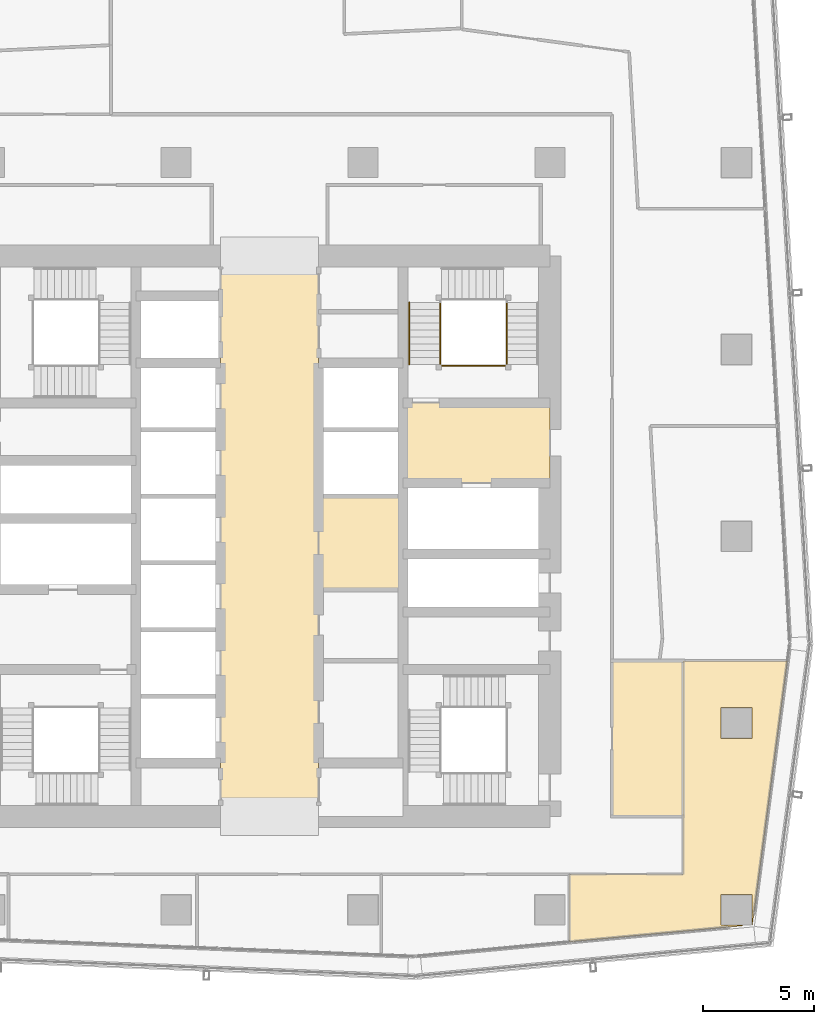
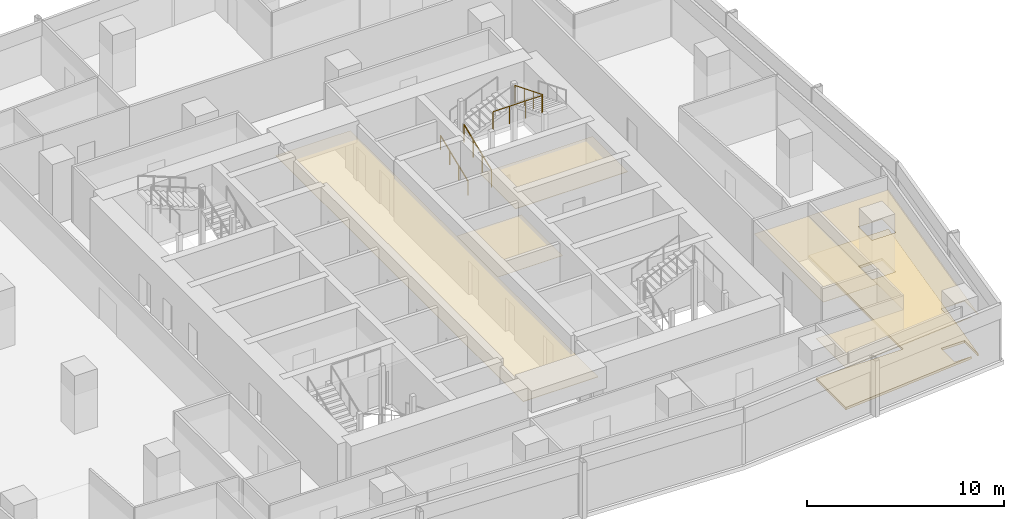
# One storey, part 36 of 40: 6 coverings, 4 railings.
"""IFC4 building model written with IfcOpenShell, lengths in metres."""

import ifcopenshell
import ifcopenshell.guid

model = None  # the IFC model being written
_history = None  # IfcOwnerHistory: only IFC2X3 demands one
_inside = {}  # id of a spatial element -> (the spatial element, [elements in it])
_under = {}  # id of a project, library or spatial element -> (it, [spatial elements below it])
_declared = {}  # id of a project -> (the project, [libraries it declares])
_typed = {}  # id of a type object -> (the type object, [elements of that type])
_made_of = {}  # id of a material, layer set ... -> (it, [elements and type objects made of it])


def new_model(schema):
    """Start an empty IFC model of exactly this schema.

    Asked for "IFC4X3", IfcOpenShell would pick the latest addendum, in which some entities
    have other attributes; the version numbers below select the first issue.
    IFC2X3 requires an IfcOwnerHistory on every rooted entity: one is made here for all.
    """
    global model, _history
    if schema == "IFC4X3":
        model = ifcopenshell.file(schema_version=(4, 3, 0, 0))
    else:
        model = ifcopenshell.file(schema=schema)
    _inside.clear()
    _under.clear()
    _declared.clear()
    _typed.clear()
    _made_of.clear()
    _history = None
    if model.schema == "IFC2X3":
        org = make("IfcOrganization", Name="unknown")
        user = make(
            "IfcPersonAndOrganization",
            ThePerson=make("IfcPerson", FamilyName="unknown"),
            TheOrganization=org,
        )
        app = make(
            "IfcApplication",
            ApplicationDeveloper=org,
            Version="unknown",
            ApplicationFullName="unknown",
            ApplicationIdentifier="unknown",
        )
        _history = make(
            "IfcOwnerHistory",
            OwningUser=user,
            OwningApplication=app,
            ChangeAction="ADDED",
            CreationDate=0,
        )
    return model


def make(cls, **values):
    """One entity of the class cls with the attributes given. An attribute that is None is left unset."""
    return model.create_entity(
        cls, **{name: value for name, value in values.items() if value is not None}
    )


def rooted(cls, **values):
    """An entity with a GlobalId (a new one), such as an element, a storey or a relation."""
    return make(cls, GlobalId=ifcopenshell.guid.new(), OwnerHistory=_history, **values)


def si_unit(unit_type, name, prefix=None):
    """IfcSIUnit, for example si_unit("LENGTHUNIT", "METRE", prefix="MILLI")."""
    return make("IfcSIUnit", UnitType=unit_type, Prefix=prefix, Name=name)


def assignment(units):
    """IfcUnitAssignment: the units of a project."""
    return None if units is None else make("IfcUnitAssignment", Units=units)


def point(xyz):
    """IfcCartesianPoint."""
    return None if xyz is None else make("IfcCartesianPoint", Coordinates=xyz)


def direction(xyz):
    """IfcDirection."""
    return None if xyz is None else make("IfcDirection", DirectionRatios=xyz)


def frame(location, z_axis=None, x_axis=None):
    """IfcAxis2Placement3D, a coordinate frame: its origin and axes. An axis left out is left unset."""
    return make(
        "IfcAxis2Placement3D",
        Location=point(location),
        Axis=direction(z_axis),
        RefDirection=direction(x_axis),
    )


def frame_2d(location, x_axis=None):
    """IfcAxis2Placement2D, a coordinate frame in the plane: its origin and x axis."""
    return make(
        "IfcAxis2Placement2D", Location=point(location), RefDirection=direction(x_axis)
    )


def origin():
    """The frame at (0, 0, 0) with its axes left unset."""
    return frame((0.0, 0.0, 0.0))


def origin_2d():
    """The frame at (0, 0) in the plane with its x axis left unset."""
    return frame_2d((0.0, 0.0))


def place(relative_to, where):
    """IfcLocalPlacement: puts the frame where relative to a parent placement (None: the world)."""
    return make(
        "IfcLocalPlacement", PlacementRelTo=relative_to, RelativePlacement=where
    )


def context(
    kind, dimensions, precision=None, world=None, true_north=None, identifier=None
):
    """IfcGeometricRepresentationContext, for example the 3D "Model" context."""
    return make(
        "IfcGeometricRepresentationContext",
        ContextIdentifier=identifier,
        ContextType=kind,
        CoordinateSpaceDimension=dimensions,
        Precision=precision,
        WorldCoordinateSystem=world,
        TrueNorth=true_north,
    )


def subcontext(parent, identifier, kind, view, scale=None):
    """IfcGeometricRepresentationSubContext, for example "Body" below "Model"."""
    return make(
        "IfcGeometricRepresentationSubContext",
        ContextIdentifier=identifier,
        ContextType=kind,
        ParentContext=parent,
        TargetScale=scale,
        TargetView=view,
    )


def project(units=None, contexts=None):
    """IfcProject with its units and contexts."""
    return rooted(
        "IfcProject",
        Name="project",
        RepresentationContexts=contexts,
        UnitsInContext=assignment(units),
    )


def spatial(cls, under=None, at=None, **own):
    """A site, building, storey or space (cls), placed at a placement, below another one or the project."""
    s = rooted(cls, ObjectPlacement=at, **own)
    if under is not None:
        _under.setdefault(under.id(), (under, []))[1].append(s)
    return s


def polyline(points):
    """IfcPolyline through the points."""
    return make("IfcPolyline", Points=[point(p) for p in points])


def profile(cls, at=None, kind="AREA", **sizes):
    """A parametric profile (cls). Its sizes go by their IFC names, for example OverallWidth=200.0."""
    return make(cls, ProfileType=kind, Position=at, **sizes)


def circle(**sizes):
    """IfcCircleProfileDef."""
    return profile("IfcCircleProfileDef", **sizes)


def outline(outer, holes=None, kind="AREA"):
    """IfcArbitraryClosedProfileDef: a profile drawn as a closed curve; with holes, ...WithVoids."""
    if holes is None:
        return make("IfcArbitraryClosedProfileDef", ProfileType=kind, OuterCurve=outer)
    return make(
        "IfcArbitraryProfileDefWithVoids",
        ProfileType=kind,
        OuterCurve=outer,
        InnerCurves=holes,
    )


def extrude(swept, where, along, depth):
    """IfcExtrudedAreaSolid: the profile swept, set in the frame where, extruded along a direction by depth."""
    return make(
        "IfcExtrudedAreaSolid",
        SweptArea=swept,
        Position=where,
        ExtrudedDirection=direction(along),
        Depth=depth,
    )


def shape(context_of_items, identifier, shape_type, items):
    """IfcShapeRepresentation: the items that make up one representation, for example the "Body"."""
    return make(
        "IfcShapeRepresentation",
        ContextOfItems=context_of_items,
        RepresentationIdentifier=identifier,
        RepresentationType=shape_type,
        Items=items,
    )


def material(Name=None, Category=None):
    """IfcMaterial."""
    return make("IfcMaterial", Name=Name, Category=Category)


def layer(
    of_material, thickness, ventilated=None, Name=None, Category=None, Priority=None
):
    """IfcMaterialLayer: one layer of a wall or slab, of a material (None: an air gap)."""
    return make(
        "IfcMaterialLayer",
        Material=of_material,
        LayerThickness=thickness,
        IsVentilated=ventilated,
        Name=Name,
        Category=Category,
        Priority=Priority,
    )


def layer_set(layers, Name=None):
    """IfcMaterialLayerSet."""
    return make("IfcMaterialLayerSet", MaterialLayers=layers, LayerSetName=Name)


def made_of(thing, what):
    """Note that an element or type object is made of a material, layer set ...; save() writes the relation."""
    if what is not None:
        _made_of.setdefault(what.id(), (what, []))[1].append(thing)
    return thing


def type_object(cls, material=None, **own):
    """A type object (cls), such as IfcWallType, which elements share."""
    return made_of(rooted(cls, **own), material)


def element(
    cls,
    number,
    at=None,
    inside=None,
    cuts=None,
    type_object=None,
    material=None,
    context=None,
    identifier="Body",
    shape_type=None,
    held_by="IfcProductDefinitionShape",
    body=None,
    shapes=None,
    **own,
):
    """One element of the class cls, such as IfcWall. Its Tag is "e" and its number.

    at: its placement. inside: the storey or other place that contains it. cuts: it is an
    opening in that element (IfcRelVoidsElement). A single representation is given by context,
    identifier, shape_type and body (its items); several are given by shapes. held_by: the class
    of the entity that holds the representations. save() writes the other relations.
    """
    e = rooted(cls, Tag="e%d" % number, ObjectPlacement=at, **own)
    if body is not None:
        shapes = [shape(context, identifier, shape_type, body)]
    if shapes is not None:
        e.Representation = make(held_by, Representations=shapes)
    if inside is not None:
        _inside.setdefault(inside.id(), (inside, []))[1].append(e)
    if cuts is not None:
        rooted(
            "IfcRelVoidsElement", RelatingBuildingElement=cuts, RelatedOpeningElement=e
        )
    if type_object is not None:
        _typed.setdefault(type_object.id(), (type_object, []))[1].append(e)
    return made_of(e, material)


def aggregate(whole, parts):
    """IfcRelAggregates: a whole, such as a stair, and the parts it consists of."""
    return rooted("IfcRelAggregates", RelatingObject=whole, RelatedObjects=parts)


def save(model, path):
    """Write the relations noted so far, then the file.

    IfcRelAggregates (storeys below a building ...), IfcRelContainedInSpatialStructure (elements
    in a storey), IfcRelDefinesByType, IfcRelAssociatesMaterial and IfcRelDeclares: one each for
    every whole, place, type object, material and project.
    """
    for whole, parts in _under.values():
        aggregate(whole, parts)
    for where, things in _inside.values():
        rooted(
            "IfcRelContainedInSpatialStructure",
            RelatedElements=things,
            RelatingStructure=where,
        )
    for kind, things in _typed.values():
        rooted("IfcRelDefinesByType", RelatedObjects=things, RelatingType=kind)
    for what, things in _made_of.values():
        rooted("IfcRelAssociatesMaterial", RelatedObjects=things, RelatingMaterial=what)
    for by, libraries in _declared.values():
        rooted("IfcRelDeclares", RelatingContext=by, RelatedDefinitions=libraries)
    model.write(path)


model = new_model("IFC4")

# Units and contexts
model_context = context("Model", 3, precision=1e-05, world=origin(), true_north=direction((0.0, 1.0)))
body_context = subcontext(model_context, "Body", "Model", "MODEL_VIEW")
ifc_project = project(units=[si_unit("LENGTHUNIT", "METRE"), si_unit("AREAUNIT", "SQUARE_METRE"), si_unit("VOLUMEUNIT", "CUBIC_METRE"), si_unit("PLANEANGLEUNIT", "RADIAN"), si_unit("MASSUNIT", "GRAM", prefix="KILO")], contexts=[model_context])

# Site, building, storey
site_placement = place(None, origin())
site = spatial("IfcSite", under=ifc_project, at=site_placement, CompositionType="ELEMENT")
building_placement = place(site_placement, origin())
building = spatial("IfcBuilding", under=site, at=building_placement, Name="Rekha Terrace Tower", CompositionType="ELEMENT")
storey_placement = place(building_placement, frame((0.0, 0.0, 213.949951171875)))
storey = spatial("IfcBuildingStorey", under=building, at=storey_placement, Name="L54", CompositionType="ELEMENT", Elevation=213.949951171875)

# Coverings
ifc_material_1 = material(Name="Mineral fibre tile in exposed grid", Category="finish")
ifc_layer_1 = layer(ifc_material_1, 0.02001953125)
ifc_layer_set_1 = layer_set([ifc_layer_1], Name="Mineral fibre tile in exposed grid")
covering_type_1 = type_object("IfcCoveringType", Name="CL1 600x1200 office grid ceiling", PredefinedType="CEILING", material=ifc_layer_set_1)
covering_1_placement = place(storey_placement, frame((0.0, 0.0, 2.580078125)))
element("IfcCovering", 1, at=covering_1_placement, inside=storey, type_object=covering_type_1, Name="Ceiling L54-04", PredefinedType="CEILING", context=body_context, shape_type="SweptSolid", body=[
    extrude(outline(polyline([(59.489990234375, 16.12890625), (59.510009765625, 16.1279296875), (61.0830078125, 28.0), (56.39990234375, 28.0), (56.39990234375, 18.39990234375), (51.291015625, 18.39990234375), (51.291015625, 15.362060546875), (59.080078125, 16.0869140625), (59.0791015625, 16.110107421875), (58.110107421875, 16.110107421875), (58.110107421875, 17.489990234375), (59.489990234375, 17.489990234375), (59.489990234375, 16.12890625)]), holes=[polyline([(59.489990234375, 24.510009765625), (58.110107421875, 24.510009765625), (58.110107421875, 25.889892578125), (59.489990234375, 25.889892578125), (59.489990234375, 24.510009765625)])]), origin(), (0.0, 0.0, 1.0), 0.02001953125),
])
ifc_material_2 = material(Name="Fibre cement board", Category="finish")
ifc_layer_2 = layer(ifc_material_2, 0.014892578125)
ifc_layer_set_2 = layer_set([ifc_layer_2], Name="Fibre cement board")
covering_type_2 = type_object("IfcCoveringType", Name="CL2 moisture-resistant board ceiling", PredefinedType="CEILING", material=ifc_layer_set_2)
covering_2_placement = place(storey_placement, frame((0.0, 0.0, 2.5849609375)))
element("IfcCovering", 2, at=covering_2_placement, inside=storey, type_object=covering_type_2, Name="Ceiling L54-FSE3", PredefinedType="CEILING", context=body_context, shape_type="SweptSolid", body=[
    extrude(outline(polyline([(43.800048828125, 35.39990234375), (40.0, 35.39990234375), (40.0, 31.199951171875), (43.800048828125, 31.199951171875), (43.800048828125, 35.39990234375)])), origin(), (0.0, 0.0, 1.0), 0.01513671875),
])
covering_3_placement = place(storey_placement, frame((0.0, 0.0, 2.5849609375)))
element("IfcCovering", 3, at=covering_3_placement, inside=storey, type_object=covering_type_2, Name="Ceiling L54-WCM2", PredefinedType="CEILING", context=body_context, shape_type="SweptSolid", body=[
    extrude(outline(polyline([(56.39990234375, 28.0), (53.199951171875, 28.0), (53.199951171875, 21.0), (56.39990234375, 21.0), (56.39990234375, 28.0)])), origin(), (0.0, 0.0, 1.0), 0.01513671875),
])
ifc_material_3 = material(Name="Powder-coated aluminium pan", Category="aluminium")
ifc_layer_3 = layer(ifc_material_3, 0.030029296875)
ifc_layer_set_3 = layer_set([ifc_layer_3], Name="Powder-coated aluminium pan")
covering_type_3 = type_object("IfcCoveringType", Name="CL3 300x1200 metal pan ceiling", PredefinedType="CEILING", material=ifc_layer_set_3)
covering_4_placement = place(storey_placement, frame((0.0, 0.0, 2.570068359375)))
element("IfcCovering", 4, at=covering_4_placement, inside=storey, type_object=covering_type_3, Name="Ceiling L54-LOBBY", PredefinedType="CEILING", context=body_context, shape_type="SweptSolid", body=[
    extrude(outline(polyline([(40.0, 46.199951171875), (35.60009765625, 46.199951171875), (35.60009765625, 21.0), (40.0, 21.0), (40.0, 46.199951171875)])), origin(), (0.0, 0.0, 1.0), 0.030029296875),
])
covering_5_placement = place(storey_placement, frame((0.0, 0.0, 2.570068359375)))
element("IfcCovering", 5, at=covering_5_placement, inside=storey, type_object=covering_type_3, Name="Ceiling L54-FLB2", PredefinedType="CEILING", context=body_context, shape_type="SweptSolid", body=[
    extrude(outline(polyline([(50.39990234375, 39.60009765625), (43.800048828125, 39.60009765625), (43.800048828125, 36.0), (50.39990234375, 36.0), (50.39990234375, 39.60009765625)])), origin(), (0.0, 0.0, 1.0), 0.030029296875),
])

# Railings
ifc_material_4 = material(Name="Stainless steel balustrade", Category="steel")
railing_type_1 = type_object("IfcRailingType", Name="GR1 1100 stair guard", PredefinedType="GUARDRAIL", material=ifc_material_4)
railing_1_placement = place(storey_placement, frame((45.465087890625, 41.324951171875, 0.125)))
element("IfcRailing", 6, at=railing_1_placement, inside=storey, type_object=railing_type_1, Name="Guard ST2 L54 flight 1", PredefinedType="GUARDRAIL", context=body_context, shape_type="SweptSolid", body=[
    extrude(circle(Radius=0.02392578125, at=origin_2d()), frame((0.0, 0.0, 1.076171875), z_axis=(0.0, 0.927443287984, 0.373963831907), x_axis=(-1.0, 0.0, 0.0)), (0.0, 0.0, 1.0), 3.00830078125),
    extrude(circle(Radius=0.02099609375, at=origin_2d()), origin(), (0.0, 0.0, 1.0), 1.052001953125),
    extrude(circle(Radius=0.02099609375, at=origin_2d()), frame((0.0, 0.929931640625, 0.375)), (0.0, 0.0, 1.0), 1.052001953125),
    extrude(circle(Radius=0.02099609375, at=origin_2d()), frame((0.0, 1.860107421875, 0.75)), (0.0, 0.0, 1.0), 1.052001953125),
    extrude(circle(Radius=0.02099609375, at=origin_2d()), frame((0.0, 2.7900390625, 1.125)), (0.0, 0.0, 1.0), 1.052001953125),
])
railing_2_placement = place(storey_placement, frame((48.4599609375, 44.114990234375, 2.625)))
element("IfcRailing", 7, at=railing_2_placement, inside=storey, type_object=railing_type_1, Name="Guard ST2 L54 flight 3", PredefinedType="GUARDRAIL", context=body_context, shape_type="SweptSolid", body=[
    extrude(circle(Radius=0.02392578125, at=origin_2d()), frame((0.0, 0.0, 1.076171875), z_axis=(0.0, -0.927443287984, 0.373963831907), x_axis=(1.0, 0.0, 0.0)), (0.0, 0.0, 1.0), 3.00830078125),
    extrude(circle(Radius=0.02099609375, at=origin_2d()), origin(), (0.0, 0.0, 1.0), 1.052001953125),
    extrude(circle(Radius=0.02099609375, at=origin_2d()), frame((0.0, -0.929931640625, 0.375)), (0.0, 0.0, 1.0), 1.052001953125),
    extrude(circle(Radius=0.02099609375, at=origin_2d()), frame((0.0, -1.860107421875, 0.75)), (0.0, 0.0, 1.0), 1.052001953125),
    extrude(circle(Radius=0.02099609375, at=origin_2d()), frame((0.0, -2.7900390625, 1.125)), (0.0, 0.0, 1.0), 1.052001953125),
])
railing_3_placement = place(storey_placement, frame((45.52490234375, 41.264892578125, 3.75)))
element("IfcRailing", 8, at=railing_3_placement, inside=storey, type_object=railing_type_1, Name="Guard ST2 L54 landing 4", PredefinedType="GUARDRAIL", context=body_context, shape_type="SweptSolid", body=[
    extrude(circle(Radius=0.02392578125, at=origin_2d()), frame((0.0, 0.0, 1.076171875), z_axis=(1.0, 0.0, 0.0), x_axis=(0.0, 1.0, 0.0)), (0.0, 0.0, 1.0), 2.875),
    extrude(circle(Radius=0.02099609375, at=origin_2d()), origin(), (0.0, 0.0, 1.0), 1.052001953125),
    extrude(circle(Radius=0.02099609375, at=origin_2d()), frame((0.958251953125, 0.0, 0.0)), (0.0, 0.0, 1.0), 1.052001953125),
    extrude(circle(Radius=0.02099609375, at=origin_2d()), frame((1.916748046875, 0.0, 0.0)), (0.0, 0.0, 1.0), 1.052001953125),
    extrude(circle(Radius=0.02099609375, at=origin_2d()), frame((2.875, 0.0, 0.0)), (0.0, 0.0, 1.0), 1.052001953125),
])
ifc_material_5 = material(Name="Stainless steel tube", Category="steel")
railing_type_2 = type_object("IfcRailingType", Name="HR1 900 stair handrail", PredefinedType="HANDRAIL", material=ifc_material_5)
railing_4_placement = place(storey_placement, frame((44.0849609375, 41.324951171875, 0.125)))
element("IfcRailing", 9, at=railing_4_placement, inside=storey, type_object=railing_type_2, Name="Handrail ST2 L54 flight 1", PredefinedType="HANDRAIL", context=body_context, shape_type="SweptSolid", body=[
    extrude(circle(Radius=0.02392578125, at=origin_2d()), frame((0.0, 0.0, 0.8759765625), z_axis=(0.0, 0.927443287984, 0.373963831907), x_axis=(-1.0, 0.0, 0.0)), (0.0, 0.0, 1.0), 3.00830078125),
    extrude(circle(Radius=0.02099609375, at=origin_2d()), origin(), (0.0, 0.0, 1.0), 0.851806640625),
    extrude(circle(Radius=0.02099609375, at=origin_2d()), frame((0.0, 0.929931640625, 0.375)), (0.0, 0.0, 1.0), 0.851806640625),
    extrude(circle(Radius=0.02099609375, at=origin_2d()), frame((0.0, 1.860107421875, 0.75)), (0.0, 0.0, 1.0), 0.851806640625),
    extrude(circle(Radius=0.02099609375, at=origin_2d()), frame((0.0, 2.7900390625, 1.125)), (0.0, 0.0, 1.0), 0.851806640625),
])

# Covering
ifc_material_6 = material(Name="Calcium sulphate panels on steel pedestals", Category="steel")
ifc_layer_4 = layer(ifc_material_6, 0.14990234375)
ifc_layer_set_4 = layer_set([ifc_layer_4], Name="Calcium sulphate panels on steel pedestals")
covering_type_4 = type_object("IfcCoveringType", Name="RF1 150 raised access floor", PredefinedType="FLOORING", material=ifc_layer_set_4)
covering_6_placement = place(storey_placement, origin())
element("IfcCovering", 10, at=covering_6_placement, inside=storey, type_object=covering_type_4, Name="Raised floor L54-04", PredefinedType="FLOORING", context=body_context, shape_type="SweptSolid", body=[
    extrude(outline(polyline([(59.489990234375, 16.12890625), (59.510009765625, 16.1279296875), (61.0830078125, 28.0), (56.39990234375, 28.0), (56.39990234375, 18.39990234375), (51.291015625, 18.39990234375), (51.291015625, 15.362060546875), (59.080078125, 16.0869140625), (59.0791015625, 16.110107421875), (58.110107421875, 16.110107421875), (58.110107421875, 17.489990234375), (59.489990234375, 17.489990234375), (59.489990234375, 16.12890625)]), holes=[polyline([(59.489990234375, 24.510009765625), (58.110107421875, 24.510009765625), (58.110107421875, 25.889892578125), (59.489990234375, 25.889892578125), (59.489990234375, 24.510009765625)])]), origin(), (0.0, 0.0, 1.0), 0.150146484375),
])

save(model, "model.ifc")
